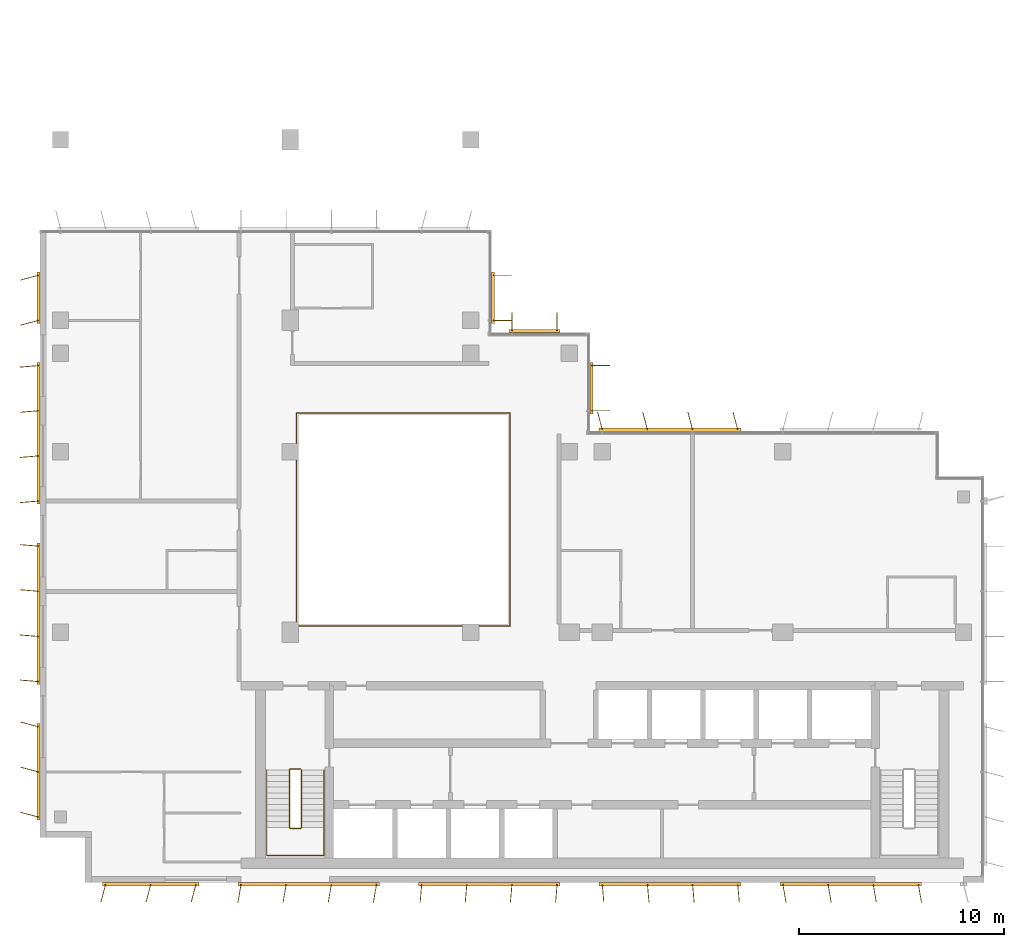
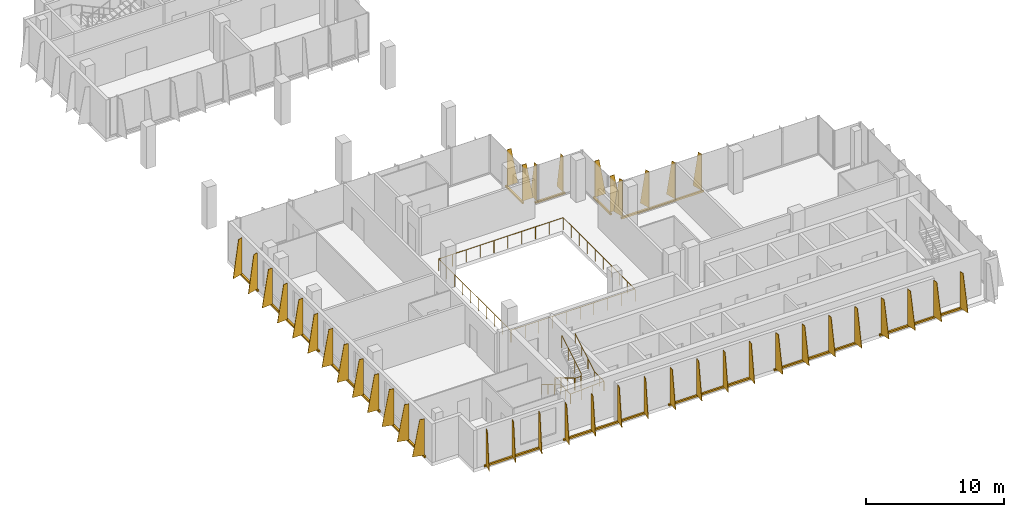
# One storey, part 13 of 14: 13 shading devices, 3 railings.
"""IFC4 building model written with IfcOpenShell, lengths in metres."""

from ifc_helpers import new_model, si_unit, direction, frame, origin, origin_2d, place, context, subcontext, project, spatial, polyline, rectangle, circle, outline, extrude, source, transform, mapped, material, layer, layer_set, type_object, element, save


model = new_model("IFC4")

# Units and contexts
model_context = context("Model", 3, precision=1e-05, world=origin(), true_north=direction((0.0, 1.0)))
body_context = subcontext(model_context, "Body", "Model", "MODEL_VIEW")
ifc_project = project(units=[si_unit("LENGTHUNIT", "METRE"), si_unit("AREAUNIT", "SQUARE_METRE"), si_unit("VOLUMEUNIT", "CUBIC_METRE"), si_unit("PLANEANGLEUNIT", "RADIAN"), si_unit("MASSUNIT", "GRAM", prefix="KILO")], contexts=[model_context])

# Site, building, storey
site_placement = place(None, origin())
site = spatial("IfcSite", under=ifc_project, at=site_placement, CompositionType="ELEMENT")
building_placement = place(site_placement, origin())
building = spatial("IfcBuilding", under=site, at=building_placement, Name="Kemantara Hotel Tower", CompositionType="ELEMENT")
storey_placement = place(building_placement, frame((0.0, 0.0, 248.699951171875)))
storey = spatial("IfcBuildingStorey", under=building, at=storey_placement, Name="L62", CompositionType="ELEMENT", Elevation=248.699951171875)

# Railings
ifc_material_1 = material(Name="Stainless steel and laminated glass balustrade", Category="steel")
railing_type_1 = type_object("IfcRailingType", Name="ATRIUM GUARD 1100", PredefinedType="GUARDRAIL", material=ifc_material_1)
railing_1_placement = place(storey_placement, frame((12.56005859375, 12.5, 0.0)))
element("IfcRailing", 1, at=railing_1_placement, inside=storey, type_object=railing_type_1, Name="ATRIUM GUARD L62", PredefinedType="GUARDRAIL", context=body_context, shape_type="SweptSolid", body=[
    extrude(circle(Radius=0.02490234375, at=origin_2d()), frame((0.0, 0.0, 1.0751953125), z_axis=(1.0, 0.0, 0.0), x_axis=(0.0, 1.0, 0.0)), (0.0, 0.0, 1.0), 10.33984375),
    extrude(circle(Radius=0.02490234375, at=origin_2d()), frame((10.33984375, 0.0, 1.0751953125), z_axis=(0.0, 1.0, 0.0), x_axis=(-1.0, 0.0, 0.0)), (0.0, 0.0, 1.0), 10.39990234375),
    extrude(circle(Radius=0.02490234375, at=origin_2d()), frame((10.33984375, 10.39990234375, 1.0751953125), z_axis=(-1.0, 0.0, 0.0), x_axis=(0.0, -1.0, 0.0)), (0.0, 0.0, 1.0), 10.39990234375),
    extrude(circle(Radius=0.02490234375, at=origin_2d()), frame((-0.06005859375, 10.39990234375, 1.0751953125), z_axis=(0.0, -1.0, 0.0), x_axis=(1.0, 0.0, 0.0)), (0.0, 0.0, 1.0), 10.39990234375),
    extrude(circle(Radius=0.02001953125, at=origin_2d()), origin(), (0.0, 0.0, 1.0), 1.050048828125),
    extrude(circle(Radius=0.02001953125, at=origin_2d()), frame((1.14892578125, 0.0, 0.0)), (0.0, 0.0, 1.0), 1.050048828125),
    extrude(circle(Radius=0.02001953125, at=origin_2d()), frame((2.2978515625, 0.0, 0.0)), (0.0, 0.0, 1.0), 1.050048828125),
    extrude(circle(Radius=0.02001953125, at=origin_2d()), frame((3.446533203125, 0.0, 0.0)), (0.0, 0.0, 1.0), 1.050048828125),
    extrude(circle(Radius=0.02001953125, at=origin_2d()), frame((4.595458984375, 0.0, 0.0)), (0.0, 0.0, 1.0), 1.050048828125),
    extrude(circle(Radius=0.02001953125, at=origin_2d()), frame((5.744384765625, 0.0, 0.0)), (0.0, 0.0, 1.0), 1.050048828125),
    extrude(circle(Radius=0.02001953125, at=origin_2d()), frame((6.893310546875, 0.0, 0.0)), (0.0, 0.0, 1.0), 1.050048828125),
    extrude(circle(Radius=0.02001953125, at=origin_2d()), frame((8.0419921875, 0.0, 0.0)), (0.0, 0.0, 1.0), 1.050048828125),
    extrude(circle(Radius=0.02001953125, at=origin_2d()), frame((9.19091796875, 0.0, 0.0)), (0.0, 0.0, 1.0), 1.050048828125),
    extrude(circle(Radius=0.02001953125, at=origin_2d()), frame((10.33984375, 0.0, 0.0)), (0.0, 0.0, 1.0), 1.050048828125),
    extrude(circle(Radius=0.02001953125, at=origin_2d()), frame((10.33984375, 1.155517578125, 0.0)), (0.0, 0.0, 1.0), 1.050048828125),
    extrude(circle(Radius=0.02001953125, at=origin_2d()), frame((10.33984375, 2.31103515625, 0.0)), (0.0, 0.0, 1.0), 1.050048828125),
    extrude(circle(Radius=0.02001953125, at=origin_2d()), frame((10.33984375, 3.466552734375, 0.0)), (0.0, 0.0, 1.0), 1.050048828125),
    extrude(circle(Radius=0.02001953125, at=origin_2d()), frame((10.33984375, 4.6220703125, 0.0)), (0.0, 0.0, 1.0), 1.050048828125),
    extrude(circle(Radius=0.02001953125, at=origin_2d()), frame((10.33984375, 5.77783203125, 0.0)), (0.0, 0.0, 1.0), 1.050048828125),
    extrude(circle(Radius=0.02001953125, at=origin_2d()), frame((10.33984375, 6.933349609375, 0.0)), (0.0, 0.0, 1.0), 1.050048828125),
    extrude(circle(Radius=0.02001953125, at=origin_2d()), frame((10.33984375, 8.0888671875, 0.0)), (0.0, 0.0, 1.0), 1.050048828125),
    extrude(circle(Radius=0.02001953125, at=origin_2d()), frame((10.33984375, 9.244384765625, 0.0)), (0.0, 0.0, 1.0), 1.050048828125),
    extrude(circle(Radius=0.02001953125, at=origin_2d()), frame((10.33984375, 10.39990234375, 0.0)), (0.0, 0.0, 1.0), 1.050048828125),
    extrude(circle(Radius=0.02001953125, at=origin_2d()), frame((9.184326171875, 10.39990234375, 0.0)), (0.0, 0.0, 1.0), 1.050048828125),
    extrude(circle(Radius=0.02001953125, at=origin_2d()), frame((8.02880859375, 10.39990234375, 0.0)), (0.0, 0.0, 1.0), 1.050048828125),
    extrude(circle(Radius=0.02001953125, at=origin_2d()), frame((6.873291015625, 10.39990234375, 0.0)), (0.0, 0.0, 1.0), 1.050048828125),
    extrude(circle(Radius=0.02001953125, at=origin_2d()), frame((5.7177734375, 10.39990234375, 0.0)), (0.0, 0.0, 1.0), 1.050048828125),
    extrude(circle(Radius=0.02001953125, at=origin_2d()), frame((4.56201171875, 10.39990234375, 0.0)), (0.0, 0.0, 1.0), 1.050048828125),
    extrude(circle(Radius=0.02001953125, at=origin_2d()), frame((3.406494140625, 10.39990234375, 0.0)), (0.0, 0.0, 1.0), 1.050048828125),
    extrude(circle(Radius=0.02001953125, at=origin_2d()), frame((2.2509765625, 10.39990234375, 0.0)), (0.0, 0.0, 1.0), 1.050048828125),
    extrude(circle(Radius=0.02001953125, at=origin_2d()), frame((1.095458984375, 10.39990234375, 0.0)), (0.0, 0.0, 1.0), 1.050048828125),
    extrude(circle(Radius=0.02001953125, at=origin_2d()), frame((-0.06005859375, 10.39990234375, 0.0)), (0.0, 0.0, 1.0), 1.050048828125),
    extrude(circle(Radius=0.02001953125, at=origin_2d()), frame((-0.06005859375, 9.244384765625, 0.0)), (0.0, 0.0, 1.0), 1.050048828125),
    extrude(circle(Radius=0.02001953125, at=origin_2d()), frame((-0.06005859375, 8.0888671875, 0.0)), (0.0, 0.0, 1.0), 1.050048828125),
    extrude(circle(Radius=0.02001953125, at=origin_2d()), frame((-0.06005859375, 6.933349609375, 0.0)), (0.0, 0.0, 1.0), 1.050048828125),
    extrude(circle(Radius=0.02001953125, at=origin_2d()), frame((-0.06005859375, 5.77783203125, 0.0)), (0.0, 0.0, 1.0), 1.050048828125),
    extrude(circle(Radius=0.02001953125, at=origin_2d()), frame((-0.06005859375, 4.6220703125, 0.0)), (0.0, 0.0, 1.0), 1.050048828125),
    extrude(circle(Radius=0.02001953125, at=origin_2d()), frame((-0.06005859375, 3.466552734375, 0.0)), (0.0, 0.0, 1.0), 1.050048828125),
    extrude(circle(Radius=0.02001953125, at=origin_2d()), frame((-0.06005859375, 2.31103515625, 0.0)), (0.0, 0.0, 1.0), 1.050048828125),
    extrude(circle(Radius=0.02001953125, at=origin_2d()), frame((-0.06005859375, 1.155517578125, 0.0)), (0.0, 0.0, 1.0), 1.050048828125),
    extrude(circle(Radius=0.02001953125, at=origin_2d()), frame((-0.06005859375, 0.0, 0.0)), (0.0, 0.0, 1.0), 1.050048828125),
])
ifc_material_2 = material(Name="Stainless steel balustrade", Category="steel")
railing_type_2 = type_object("IfcRailingType", Name="Stair guard 1100 mm", PredefinedType="GUARDRAIL", material=ifc_material_2)
railing_2_placement = place(storey_placement, frame((12.75, 5.5, 3.699951171875)))
element("IfcRailing", 2, at=railing_2_placement, inside=storey, type_object=railing_type_2, Name="L62 ST1 stair guard 1", PredefinedType="GUARDRAIL", context=body_context, shape_type="SweptSolid", body=[
    extrude(circle(Radius=0.02392578125, at=origin_2d()), frame((0.0, 0.0, 1.076171875), z_axis=(0.0, -0.857275202839, -0.514858452973), x_axis=(1.0, 0.0, 0.0)), (0.0, 0.0, 1.0), 3.26611328125),
    extrude(circle(Radius=0.02392578125, at=origin_2d()), frame((0.0, -2.800048828125, -0.60546875), z_axis=(-0.274243871929, -0.274243871929, -0.92172696468), x_axis=(0.707106781187, -0.707106781187, 0.0)), (0.0, 0.0, 1.0), 0.1826171875),
    extrude(circle(Radius=0.02392578125, at=origin_2d()), frame((-0.050048828125, -2.85009765625, -0.77392578125), z_axis=(-1.0, 0.0, 0.0), x_axis=(0.0, -1.0, 0.0)), (0.0, 0.0, 1.0), 0.5),
    extrude(circle(Radius=0.02392578125, at=origin_2d()), frame((-0.550048828125, -2.85009765625, -0.77392578125), z_axis=(-0.707106781187, 0.707106781187, 0.0), x_axis=(-0.707106781187, -0.707106781187, 0.0)), (0.0, 0.0, 1.0), 0.07080078125),
    extrude(circle(Radius=0.02392578125, at=origin_2d()), frame((-0.60009765625, -2.800048828125, -0.77392578125), z_axis=(0.0, 0.857242210791, -0.514913383045), x_axis=(-1.0, 0.0, 0.0)), (0.0, 0.0, 1.0), 3.266357421875),
    extrude(circle(Radius=0.02392578125, at=origin_2d()), frame((-0.60009765625, 0.0, -2.45556640625), z_axis=(0.274243871929, 0.274243871929, -0.92172696468), x_axis=(-0.707106781187, 0.707106781187, 0.0)), (0.0, 0.0, 1.0), 0.1826171875),
    extrude(circle(Radius=0.02392578125, at=origin_2d()), frame((-0.550048828125, 0.050048828125, -2.6240234375), z_axis=(1.0, 0.0, 0.0), x_axis=(0.0, 1.0, 0.0)), (0.0, 0.0, 1.0), 0.5),
    extrude(circle(Radius=0.02099609375, at=origin_2d()), origin(), (0.0, 0.0, 1.0), 1.052001953125),
    extrude(circle(Radius=0.02099609375, at=origin_2d()), frame((0.0, -0.933349609375, -0.560546875)), (0.0, 0.0, 1.0), 1.052001953125),
    extrude(circle(Radius=0.02099609375, at=origin_2d()), frame((0.0, -1.86669921875, -1.12109375)), (0.0, 0.0, 1.0), 1.052001953125),
    extrude(circle(Radius=0.02099609375, at=origin_2d()), frame((0.0, -2.800048828125, -1.681640625)), (0.0, 0.0, 1.0), 1.052001953125),
    extrude(circle(Radius=0.02099609375, at=origin_2d()), frame((-0.050048828125, -2.85009765625, -1.849853515625)), (0.0, 0.0, 1.0), 1.052001953125),
    extrude(circle(Radius=0.02099609375, at=origin_2d()), frame((-0.550048828125, -2.85009765625, -1.849853515625)), (0.0, 0.0, 1.0), 1.052001953125),
    extrude(circle(Radius=0.02099609375, at=origin_2d()), frame((-0.60009765625, -2.800048828125, -1.849853515625)), (0.0, 0.0, 1.0), 1.052001953125),
    extrude(circle(Radius=0.02099609375, at=origin_2d()), frame((-0.60009765625, -1.86669921875, -2.410400390625)), (0.0, 0.0, 1.0), 1.052001953125),
    extrude(circle(Radius=0.02099609375, at=origin_2d()), frame((-0.60009765625, -0.933349609375, -2.97119140625)), (0.0, 0.0, 1.0), 1.052001953125),
    extrude(circle(Radius=0.02099609375, at=origin_2d()), frame((-0.60009765625, 0.0, -3.53173828125)), (0.0, 0.0, 1.0), 1.052001953125),
    extrude(circle(Radius=0.02099609375, at=origin_2d()), frame((-0.550048828125, 0.050048828125, -3.699951171875)), (0.0, 0.0, 1.0), 1.052001953125),
    extrude(circle(Radius=0.02099609375, at=origin_2d()), frame((-0.050048828125, 0.050048828125, -3.699951171875)), (0.0, 0.0, 1.0), 1.052001953125),
])
railing_type_3 = type_object("IfcRailingType", Name="Stair handrail 900 mm", PredefinedType="HANDRAIL", material=ifc_material_2)
railing_3_placement = place(storey_placement, frame((11.050048828125, 5.5, 0.168212890625)))
element("IfcRailing", 3, at=railing_3_placement, inside=storey, type_object=railing_type_3, Name="L62 ST1 stair handrail 1", PredefinedType="HANDRAIL", context=body_context, shape_type="SweptSolid", body=[
    extrude(circle(Radius=0.02392578125, at=origin_2d()), frame((0.0, 0.0, 0.8759765625), z_axis=(0.0, -0.857242210791, 0.514913383045), x_axis=(1.0, 0.0, 0.0)), (0.0, 0.0, 1.0), 3.266357421875),
    extrude(circle(Radius=0.02392578125, at=origin_2d()), frame((0.0, -2.800048828125, 2.5576171875), z_axis=(0.0, -1.0, 0.0), x_axis=(1.0, 0.0, 0.0)), (0.0, 0.0, 1.0), 1.3798828125),
    extrude(circle(Radius=0.02392578125, at=origin_2d()), frame((0.0, -4.179931640625, 2.5576171875), z_axis=(0.998200367801, 0.0, 0.059966871865), x_axis=(0.0, 1.0, 0.0)), (0.0, 0.0, 1.0), 2.80517578125),
    extrude(circle(Radius=0.02392578125, at=origin_2d()), frame((2.800048828125, -4.179931640625, 2.72607421875), z_axis=(0.0, 1.0, 0.0), x_axis=(-1.0, 0.0, 0.0)), (0.0, 0.0, 1.0), 1.3798828125),
    extrude(circle(Radius=0.02392578125, at=origin_2d()), frame((2.800048828125, -2.800048828125, 2.72607421875), z_axis=(0.0, 0.857275202839, 0.514858452973), x_axis=(-1.0, 0.0, 0.0)), (0.0, 0.0, 1.0), 3.26611328125),
    extrude(circle(Radius=0.02099609375, at=origin_2d()), origin(), (0.0, 0.0, 1.0), 0.851806640625),
    extrude(circle(Radius=0.02099609375, at=origin_2d()), frame((0.0, -0.933349609375, 0.560546875)), (0.0, 0.0, 1.0), 0.851806640625),
    extrude(circle(Radius=0.02099609375, at=origin_2d()), frame((0.0, -1.86669921875, 1.121337890625)), (0.0, 0.0, 1.0), 0.851806640625),
    extrude(circle(Radius=0.02099609375, at=origin_2d()), frame((0.0, -2.800048828125, 1.681884765625)), (0.0, 0.0, 1.0), 0.851806640625),
    extrude(circle(Radius=0.02099609375, at=origin_2d()), frame((0.0, -3.489990234375, 1.681884765625)), (0.0, 0.0, 1.0), 0.851806640625),
    extrude(circle(Radius=0.02099609375, at=origin_2d()), frame((0.0, -4.179931640625, 1.681884765625)), (0.0, 0.0, 1.0), 0.851806640625),
    extrude(circle(Radius=0.02099609375, at=origin_2d()), frame((0.933349609375, -4.179931640625, 1.738037109375)), (0.0, 0.0, 1.0), 0.851806640625),
    extrude(circle(Radius=0.02099609375, at=origin_2d()), frame((1.86669921875, -4.179931640625, 1.7939453125)), (0.0, 0.0, 1.0), 0.851806640625),
    extrude(circle(Radius=0.02099609375, at=origin_2d()), frame((2.800048828125, -4.179931640625, 1.85009765625)), (0.0, 0.0, 1.0), 0.851806640625),
    extrude(circle(Radius=0.02099609375, at=origin_2d()), frame((2.800048828125, -3.489990234375, 1.85009765625)), (0.0, 0.0, 1.0), 0.851806640625),
    extrude(circle(Radius=0.02099609375, at=origin_2d()), frame((2.800048828125, -2.800048828125, 1.85009765625)), (0.0, 0.0, 1.0), 0.851806640625),
    extrude(circle(Radius=0.02099609375, at=origin_2d()), frame((2.800048828125, -1.86669921875, 2.41064453125)), (0.0, 0.0, 1.0), 0.851806640625),
    extrude(circle(Radius=0.02099609375, at=origin_2d()), frame((2.800048828125, -0.933349609375, 2.97119140625)), (0.0, 0.0, 1.0), 0.851806640625),
    extrude(circle(Radius=0.02099609375, at=origin_2d()), frame((2.800048828125, 0.0, 3.53173828125)), (0.0, 0.0, 1.0), 0.851806640625),
])

# Shading devices
ifc_material_3 = material(Name="Perforated aluminium plate 4 mm bronze anodised", Category="aluminium")
ifc_layer_1 = layer(ifc_material_3, 0.0400390625)
ifc_layer_set_1 = layer_set([ifc_layer_1], Name="Perforated aluminium plate 4 mm bronze anodised")
shading_device_type_1 = type_object("IfcShadingDeviceType", Name="SCREEN FIN CASSETTE, 3 BLADES AT -15.0 DEG, 3200 HIGH", PredefinedType="USERDEFINED", material=ifc_layer_set_1)
shared_shape_1 = source(origin(), body_context, "Body", "SweptSolid", [
    extrude(rectangle(XDim=4.699951171875, YDim=0.14990234375, at=origin_2d()), frame((2.199951171875, -0.074951171875, -0.14990234375), z_axis=(0.0, 0.0, 1.0), x_axis=(1.0, 0.0, 0.0)), (0.0, 0.0, 1.0), 0.14990234375),
    extrude(outline(polyline([(0.0, 0.0), (0.89990234375, 0.0), (0.35009765625, 3.199951171875), (0.0, 3.199951171875), (0.0, 0.0)])), frame((0.019287109375, -0.080078125, 0.0), z_axis=(-0.966437683387, 0.256901156343, 0.0), x_axis=(-0.256901156343, -0.966437683387, 0.0)), (0.0, 0.0, 1.0), 0.039794921875),
    extrude(outline(polyline([(0.0, 0.0), (0.89990234375, 0.0), (0.35009765625, 3.199951171875), (0.0, 3.199951171875), (0.0, 0.0)])), frame((2.21923828125, -0.080078125, 0.0), z_axis=(-0.966437683387, 0.256901156343, 0.0), x_axis=(-0.256901156343, -0.966437683387, 0.0)), (0.0, 0.0, 1.0), 0.039794921875),
    extrude(outline(polyline([(0.0, 0.0), (0.89990234375, 0.0), (0.35009765625, 3.199951171875), (0.0, 3.199951171875), (0.0, 0.0)])), frame((4.41943359375, -0.080078125, 0.0), z_axis=(-0.966837822169, 0.255391122837, 0.0), x_axis=(-0.255391122837, -0.966837822169, 0.0)), (0.0, 0.0, 1.0), 0.0400390625),
])
for number, where, z_axis, x_axis, name in (
    (4, (0.0, 7.60009765625, 0.10009765625), (0.0, 0.0, 1.0), (0.0, -1.0, 0.0), "SCREEN FIN CASSETTE L62 T4P-R02-4"),
    (5, (3.199951171875, 0.0, 0.10009765625), (0.0, 0.0, 1.0), (1.0, 0.0, 0.0), "SCREEN FIN CASSETTE L62 T4P-R05-1"),
):
    element("IfcShadingDevice", number, at=place(storey_placement, frame(where, z_axis=z_axis, x_axis=x_axis)), inside=storey, type_object=shading_device_type_1, Name=name, ObjectType="SCREEN FIN", PredefinedType="USERDEFINED", context=body_context, shape_type="MappedRepresentation", body=[
        mapped(shared_shape_1, transform((0.0, 0.0, 0.0))),
    ])
ifc_layer_2 = layer(ifc_material_3, 0.0400390625)
ifc_layer_set_2 = layer_set([ifc_layer_2], Name="Perforated aluminium plate 4 mm bronze anodised")
shading_device_type_2 = type_object("IfcShadingDeviceType", Name="SCREEN FIN CASSETTE, 4 BLADES AT -10.0 DEG, 3200 HIGH", PredefinedType="USERDEFINED", material=ifc_layer_set_2)
shared_shape_2 = source(origin(), body_context, "Body", "SweptSolid", [
    extrude(rectangle(XDim=6.89990234375, YDim=0.14990234375, at=origin_2d()), frame((3.300048828125, -0.074951171875, -0.14990234375), z_axis=(0.0, 0.0, 1.0), x_axis=(1.0, 0.0, 0.0)), (0.0, 0.0, 1.0), 0.14990234375),
    extrude(outline(polyline([(0.0, 0.0), (0.89990234375, 0.0), (0.35009765625, 3.199951171875), (0.0, 3.199951171875), (0.0, 0.0)])), frame((0.019775390625, -0.078369140625, 0.0), z_axis=(-0.985389793052, 0.170314285219, 0.0), x_axis=(-0.170314285219, -0.985389793052, 0.0)), (0.0, 0.0, 1.0), 0.0400390625),
    extrude(outline(polyline([(0.0, 0.0), (0.89990234375, 0.0), (0.35009765625, 3.199951171875), (0.0, 3.199951171875), (0.0, 0.0)])), frame((2.2197265625, -0.078369140625, 0.0), z_axis=(-0.98521175482, 0.171341174751, 0.0), x_axis=(-0.171341174751, -0.98521175482, 0.0)), (0.0, 0.0, 1.0), 0.039794921875),
    extrude(outline(polyline([(0.0, 0.0), (0.89990234375, 0.0), (0.35009765625, 3.199951171875), (0.0, 3.199951171875), (0.0, 0.0)])), frame((4.419677734375, -0.078369140625, 0.0), z_axis=(-0.98521175482, 0.171341174751, 0.0), x_axis=(-0.171341174751, -0.98521175482, 0.0)), (0.0, 0.0, 1.0), 0.039794921875),
    extrude(outline(polyline([(0.0, 0.0), (0.89990234375, 0.0), (0.35009765625, 3.199951171875), (0.0, 3.199951171875), (0.0, 0.0)])), frame((6.61962890625, -0.078369140625, 0.0), z_axis=(-0.98521175482, 0.171341174751, 0.0), x_axis=(-0.171341174751, -0.98521175482, 0.0)), (0.0, 0.0, 1.0), 0.039794921875),
])
shading_device_1_placement = place(storey_placement, frame((9.800048828125, 0.0, 0.10009765625), z_axis=(0.0, 0.0, 1.0), x_axis=(1.0, 0.0, 0.0)))
element("IfcShadingDevice", 6, at=shading_device_1_placement, inside=storey, type_object=shading_device_type_2, Name="SCREEN FIN CASSETTE L62 T4P-R05-2", ObjectType="SCREEN FIN", PredefinedType="USERDEFINED", context=body_context, shape_type="MappedRepresentation", body=[
    mapped(shared_shape_2, transform((0.0, 0.0, 0.0))),
])
ifc_layer_3 = layer(ifc_material_3, 0.0400390625)
ifc_layer_set_3 = layer_set([ifc_layer_3], Name="Perforated aluminium plate 4 mm bronze anodised")
shading_device_type_3 = type_object("IfcShadingDeviceType", Name="SCREEN FIN CASSETTE, 4 BLADES AT -5.0 DEG, 3200 HIGH", PredefinedType="USERDEFINED", material=ifc_layer_set_3)
shared_shape_3 = source(origin(), body_context, "Body", "SweptSolid", [
    extrude(rectangle(XDim=6.89990234375, YDim=0.14990234375, at=origin_2d()), frame((3.300048828125, -0.074951171875, -0.14990234375), z_axis=(0.0, 0.0, 1.0), x_axis=(1.0, 0.0, 0.0)), (0.0, 0.0, 1.0), 0.14990234375),
    extrude(outline(polyline([(0.0, 0.0), (0.89990234375, 0.0), (0.35009765625, 3.199951171875), (0.0, 3.199951171875), (0.0, 0.0)])), frame((0.02001953125, -0.07666015625, 0.0), z_axis=(-0.996376129781, 0.085056498884, 0.0), x_axis=(-0.085056498884, -0.996376129781, 0.0)), (0.0, 0.0, 1.0), 0.040283203125),
    extrude(outline(polyline([(0.0, 0.0), (0.89990234375, 0.0), (0.35009765625, 3.199951171875), (0.0, 3.199951171875), (0.0, 0.0)])), frame((2.219970703125, -0.07666015625, 0.0), z_axis=(-0.996331773833, 0.085574508182, 0.0), x_axis=(-0.085574508182, -0.996331773833, 0.0)), (0.0, 0.0, 1.0), 0.0400390625),
    extrude(outline(polyline([(0.0, 0.0), (0.89990234375, 0.0), (0.35009765625, 3.199951171875), (0.0, 3.199951171875), (0.0, 0.0)])), frame((4.419921875, -0.07666015625, 0.0), z_axis=(-0.996331773833, 0.085574508182, 0.0), x_axis=(-0.085574508182, -0.996331773833, 0.0)), (0.0, 0.0, 1.0), 0.0400390625),
    extrude(outline(polyline([(0.0, 0.0), (0.89990234375, 0.0), (0.35009765625, 3.199951171875), (0.0, 3.199951171875), (0.0, 0.0)])), frame((6.619873046875, -0.07666015625, 0.0), z_axis=(-0.996331773833, 0.085574508182, 0.0), x_axis=(-0.085574508182, -0.996331773833, 0.0)), (0.0, 0.0, 1.0), 0.0400390625),
])
for number, where, z_axis, x_axis, name in (
    (7, (0.0, 16.39990234375, 0.10009765625), (0.0, 0.0, 1.0), (0.0, -1.0, 0.0), "SCREEN FIN CASSETTE L62 T4P-R02-3"),
    (8, (18.60009765625, 0.0, 0.10009765625), (0.0, 0.0, 1.0), (1.0, 0.0, 0.0), "SCREEN FIN CASSETTE L62 T4P-R05-3"),
):
    element("IfcShadingDevice", number, at=place(storey_placement, frame(where, z_axis=z_axis, x_axis=x_axis)), inside=storey, type_object=shading_device_type_3, Name=name, ObjectType="SCREEN FIN", PredefinedType="USERDEFINED", context=body_context, shape_type="MappedRepresentation", body=[
        mapped(shared_shape_3, transform((0.0, 0.0, 0.0))),
    ])
ifc_layer_4 = layer(ifc_material_3, 0.0400390625)
ifc_layer_set_4 = layer_set([ifc_layer_4], Name="Perforated aluminium plate 4 mm bronze anodised")
shading_device_type_4 = type_object("IfcShadingDeviceType", Name="SCREEN FIN CASSETTE, 4 BLADES AT +5.0 DEG, 3200 HIGH", PredefinedType="USERDEFINED", material=ifc_layer_set_4)
shared_shape_4 = source(origin(), body_context, "Body", "SweptSolid", [
    extrude(rectangle(XDim=6.89990234375, YDim=0.14990234375, at=origin_2d()), frame((3.300048828125, -0.074951171875, -0.14990234375), z_axis=(0.0, 0.0, 1.0), x_axis=(1.0, 0.0, 0.0)), (0.0, 0.0, 1.0), 0.14990234375),
    extrude(outline(polyline([(0.0, 0.0), (0.89990234375, 0.0), (0.35009765625, 3.199951171875), (0.0, 3.199951171875), (0.0, 0.0)])), frame((0.02001953125, -0.0732421875, 0.0), z_axis=(-0.996376129781, -0.085056498884, 0.0), x_axis=(0.085056498884, -0.996376129781, 0.0)), (0.0, 0.0, 1.0), 0.040283203125),
    extrude(outline(polyline([(0.0, 0.0), (0.89990234375, 0.0), (0.35009765625, 3.199951171875), (0.0, 3.199951171875), (0.0, 0.0)])), frame((2.219970703125, -0.0732421875, 0.0), z_axis=(-0.996331773833, -0.085574508182, 0.0), x_axis=(0.085574508182, -0.996331773833, 0.0)), (0.0, 0.0, 1.0), 0.0400390625),
    extrude(outline(polyline([(0.0, 0.0), (0.89990234375, 0.0), (0.35009765625, 3.199951171875), (0.0, 3.199951171875), (0.0, 0.0)])), frame((4.419921875, -0.0732421875, 0.0), z_axis=(-0.996331773833, -0.085574508182, 0.0), x_axis=(0.085574508182, -0.996331773833, 0.0)), (0.0, 0.0, 1.0), 0.0400390625),
    extrude(outline(polyline([(0.0, 0.0), (0.89990234375, 0.0), (0.35009765625, 3.199951171875), (0.0, 3.199951171875), (0.0, 0.0)])), frame((6.619873046875, -0.0732421875, 0.0), z_axis=(-0.996331773833, -0.085574508182, 0.0), x_axis=(0.085574508182, -0.996331773833, 0.0)), (0.0, 0.0, 1.0), 0.0400390625),
])
for number, where, z_axis, x_axis, name in (
    (9, (0.0, 25.199951171875, 0.10009765625), (0.0, 0.0, 1.0), (0.0, -1.0, 0.0), "SCREEN FIN CASSETTE L62 T4P-R02-2"),
    (10, (27.39990234375, 0.0, 0.10009765625), (0.0, 0.0, 1.0), (1.0, 0.0, 0.0), "SCREEN FIN CASSETTE L62 T4P-R05-4"),
):
    element("IfcShadingDevice", number, at=place(storey_placement, frame(where, z_axis=z_axis, x_axis=x_axis)), inside=storey, type_object=shading_device_type_4, Name=name, ObjectType="SCREEN FIN", PredefinedType="USERDEFINED", context=body_context, shape_type="MappedRepresentation", body=[
        mapped(shared_shape_4, transform((0.0, 0.0, 0.0))),
    ])
ifc_layer_5 = layer(ifc_material_3, 0.0400390625)
ifc_layer_set_5 = layer_set([ifc_layer_5], Name="Perforated aluminium plate 4 mm bronze anodised")
shading_device_type_5 = type_object("IfcShadingDeviceType", Name="SCREEN FIN CASSETTE, 4 BLADES AT +10.0 DEG, 3200 HIGH", PredefinedType="USERDEFINED", material=ifc_layer_set_5)
shared_shape_5 = source(origin(), body_context, "Body", "SweptSolid", [
    extrude(rectangle(XDim=6.89990234375, YDim=0.14990234375, at=origin_2d()), frame((3.300048828125, -0.074951171875, -0.14990234375), z_axis=(0.0, 0.0, 1.0), x_axis=(1.0, 0.0, 0.0)), (0.0, 0.0, 1.0), 0.14990234375),
    extrude(outline(polyline([(0.0, 0.0), (0.89990234375, 0.0), (0.35009765625, 3.199951171875), (0.0, 3.199951171875), (0.0, 0.0)])), frame((0.019775390625, -0.071533203125, 0.0), z_axis=(-0.985389793052, -0.170314285219, 0.0), x_axis=(0.170314285219, -0.985389793052, 0.0)), (0.0, 0.0, 1.0), 0.0400390625),
    extrude(outline(polyline([(0.0, 0.0), (0.89990234375, 0.0), (0.35009765625, 3.199951171875), (0.0, 3.199951171875), (0.0, 0.0)])), frame((2.2197265625, -0.071533203125, 0.0), z_axis=(-0.98521175482, -0.171341174751, 0.0), x_axis=(0.171341174751, -0.98521175482, 0.0)), (0.0, 0.0, 1.0), 0.039794921875),
    extrude(outline(polyline([(0.0, 0.0), (0.89990234375, 0.0), (0.35009765625, 3.199951171875), (0.0, 3.199951171875), (0.0, 0.0)])), frame((4.419677734375, -0.071533203125, 0.0), z_axis=(-0.98521175482, -0.171341174751, 0.0), x_axis=(0.171341174751, -0.98521175482, 0.0)), (0.0, 0.0, 1.0), 0.039794921875),
    extrude(outline(polyline([(0.0, 0.0), (0.89990234375, 0.0), (0.35009765625, 3.199951171875), (0.0, 3.199951171875), (0.0, 0.0)])), frame((6.61962890625, -0.071533203125, 0.0), z_axis=(-0.98521175482, -0.171341174751, 0.0), x_axis=(0.171341174751, -0.98521175482, 0.0)), (0.0, 0.0, 1.0), 0.039794921875),
])
shading_device_2_placement = place(storey_placement, frame((36.199951171875, 0.0, 0.10009765625), z_axis=(0.0, 0.0, 1.0), x_axis=(1.0, 0.0, 0.0)))
element("IfcShadingDevice", 11, at=shading_device_2_placement, inside=storey, type_object=shading_device_type_5, Name="SCREEN FIN CASSETTE L62 T4P-R05-5", ObjectType="SCREEN FIN", PredefinedType="USERDEFINED", context=body_context, shape_type="MappedRepresentation", body=[
    mapped(shared_shape_5, transform((0.0, 0.0, 0.0))),
])
ifc_layer_6 = layer(ifc_material_3, 0.0400390625)
ifc_layer_set_6 = layer_set([ifc_layer_6], Name="Perforated aluminium plate 4 mm bronze anodised")
shading_device_type_6 = type_object("IfcShadingDeviceType", Name="SCREEN FIN CASSETTE, 4 BLADES AT +15.0 DEG, 3200 HIGH", PredefinedType="USERDEFINED", material=ifc_layer_set_6)
shared_shape_6 = source(origin(), body_context, "Body", "SweptSolid", [
    extrude(rectangle(XDim=6.89990234375, YDim=0.14990234375, at=origin_2d()), frame((3.300048828125, -0.074951171875, -0.14990234375), z_axis=(0.0, 0.0, 1.0), x_axis=(1.0, 0.0, 0.0)), (0.0, 0.0, 1.0), 0.14990234375),
    extrude(outline(polyline([(0.0, 0.0), (0.89990234375, 0.0), (0.35009765625, 3.199951171875), (0.0, 3.199951171875), (0.0, 0.0)])), frame((0.019287109375, -0.06982421875, 0.0), z_axis=(-0.966437683387, -0.256901156343, 0.0), x_axis=(0.256901156343, -0.966437683387, 0.0)), (0.0, 0.0, 1.0), 0.039794921875),
    extrude(outline(polyline([(0.0, 0.0), (0.89990234375, 0.0), (0.35009765625, 3.199951171875), (0.0, 3.199951171875), (0.0, 0.0)])), frame((2.21923828125, -0.06982421875, 0.0), z_axis=(-0.966437683387, -0.256901156343, 0.0), x_axis=(0.256901156343, -0.966437683387, 0.0)), (0.0, 0.0, 1.0), 0.039794921875),
    extrude(outline(polyline([(0.0, 0.0), (0.89990234375, 0.0), (0.35009765625, 3.199951171875), (0.0, 3.199951171875), (0.0, 0.0)])), frame((4.41943359375, -0.06982421875, 0.0), z_axis=(-0.966837822169, -0.255391122837, 0.0), x_axis=(0.255391122837, -0.966837822169, 0.0)), (0.0, 0.0, 1.0), 0.0400390625),
    extrude(outline(polyline([(0.0, 0.0), (0.89990234375, 0.0), (0.35009765625, 3.199951171875), (0.0, 3.199951171875), (0.0, 0.0)])), frame((6.619384765625, -0.06982421875, 0.0), z_axis=(-0.966837822169, -0.255391122837, 0.0), x_axis=(0.255391122837, -0.966837822169, 0.0)), (0.0, 0.0, 1.0), 0.0400390625),
])
shading_device_3_placement = place(storey_placement, frame((34.0, 22.0, 0.10009765625), z_axis=(0.0, 0.0, 1.0), x_axis=(-1.0, 0.0, 0.0)))
element("IfcShadingDevice", 12, at=shading_device_3_placement, inside=storey, type_object=shading_device_type_6, Name="SCREEN FIN CASSETTE L62 T4P-R09-2", ObjectType="SCREEN FIN", PredefinedType="USERDEFINED", context=body_context, shape_type="MappedRepresentation", body=[
    mapped(shared_shape_6, transform((0.0, 0.0, 0.0))),
])
ifc_layer_7 = layer(ifc_material_3, 0.0400390625)
ifc_layer_set_7 = layer_set([ifc_layer_7], Name="Perforated aluminium plate 4 mm bronze anodised")
shading_device_type_7 = type_object("IfcShadingDeviceType", Name="SCREEN FIN CASSETTE, 2 BLADES AT +15.0 DEG, 3200 HIGH", PredefinedType="USERDEFINED", material=ifc_layer_set_7)
shared_shape_7 = source(origin(), body_context, "Body", "SweptSolid", [
    extrude(rectangle(XDim=2.5, YDim=0.14990234375, at=origin_2d()), frame((1.10009765625, -0.074951171875, -0.14990234375), z_axis=(0.0, 0.0, 1.0), x_axis=(1.0, 0.0, 0.0)), (0.0, 0.0, 1.0), 0.14990234375),
    extrude(outline(polyline([(0.0, 0.0), (0.89990234375, 0.0), (0.35009765625, 3.199951171875), (0.0, 3.199951171875), (0.0, 0.0)])), frame((0.019287109375, -0.06982421875, 0.0), z_axis=(-0.966437683387, -0.256901156343, 0.0), x_axis=(0.256901156343, -0.966437683387, 0.0)), (0.0, 0.0, 1.0), 0.039794921875),
    extrude(outline(polyline([(0.0, 0.0), (0.89990234375, 0.0), (0.35009765625, 3.199951171875), (0.0, 3.199951171875), (0.0, 0.0)])), frame((2.21923828125, -0.06982421875, 0.0), z_axis=(-0.966437683387, -0.256901156343, 0.0), x_axis=(0.256901156343, -0.966437683387, 0.0)), (0.0, 0.0, 1.0), 0.039794921875),
])
shading_device_4_placement = place(storey_placement, frame((0.0, 29.60009765625, 0.10009765625), z_axis=(0.0, 0.0, 1.0), x_axis=(0.0, -1.0, 0.0)))
element("IfcShadingDevice", 13, at=shading_device_4_placement, inside=storey, type_object=shading_device_type_7, Name="SCREEN FIN CASSETTE L62 T4P-R02-1", ObjectType="SCREEN FIN", PredefinedType="USERDEFINED", context=body_context, shape_type="MappedRepresentation", body=[
    mapped(shared_shape_7, transform((0.0, 0.0, 0.0))),
])
ifc_layer_8 = layer(ifc_material_3, 0.0400390625)
ifc_layer_set_8 = layer_set([ifc_layer_8], Name="Perforated aluminium plate 4 mm bronze anodised")
shading_device_type_8 = type_object("IfcShadingDeviceType", Name="SCREEN FIN CASSETTE, 2 BLADES AT +0.0 DEG, 3200 HIGH", PredefinedType="USERDEFINED", material=ifc_layer_set_8)
shared_shape_8 = source(origin(), body_context, "Body", "SweptSolid", [
    extrude(rectangle(XDim=2.5, YDim=0.14990234375, at=origin_2d()), frame((1.10009765625, -0.074951171875, -0.14990234375), z_axis=(0.0, 0.0, 1.0), x_axis=(1.0, 0.0, 0.0)), (0.0, 0.0, 1.0), 0.14990234375),
    extrude(outline(polyline([(0.0, 0.0), (0.89990234375, 0.0), (0.35009765625, 3.199951171875), (0.0, 3.199951171875), (0.0, 0.0)])), frame((0.02001953125, -0.074951171875, 0.0), z_axis=(-1.0, 0.0, 0.0), x_axis=(0.0, -1.0, 0.0)), (0.0, 0.0, 1.0), 0.0400390625),
    extrude(outline(polyline([(0.0, 0.0), (0.89990234375, 0.0), (0.35009765625, 3.199951171875), (0.0, 3.199951171875), (0.0, 0.0)])), frame((2.219970703125, -0.074951171875, 0.0), z_axis=(-1.0, 0.0, 0.0), x_axis=(0.0, -1.0, 0.0)), (0.0, 0.0, 1.0), 0.0400390625),
])
for number, where, z_axis, x_axis, name in (
    (14, (22.0, 27.39990234375, 0.10009765625), (0.0, 0.0, 1.0), (0.0, 1.0, 0.0), "SCREEN FIN CASSETTE L62 T4P-R00-1"),
    (15, (26.800048828125, 23.0, 0.10009765625), (0.0, 0.0, 1.0), (0.0, 1.0, 0.0), "SCREEN FIN CASSETTE L62 T4P-R10-1"),
    (16, (25.199951171875, 26.800048828125, 0.10009765625), (0.0, 0.0, 1.0), (-1.0, 0.0, 0.0), "SCREEN FIN CASSETTE L62 T4P-R11-1"),
):
    element("IfcShadingDevice", number, at=place(storey_placement, frame(where, z_axis=z_axis, x_axis=x_axis)), inside=storey, type_object=shading_device_type_8, Name=name, ObjectType="SCREEN FIN", PredefinedType="USERDEFINED", context=body_context, shape_type="MappedRepresentation", body=[
        mapped(shared_shape_8, transform((0.0, 0.0, 0.0))),
    ])

save(model, "model.ifc")
